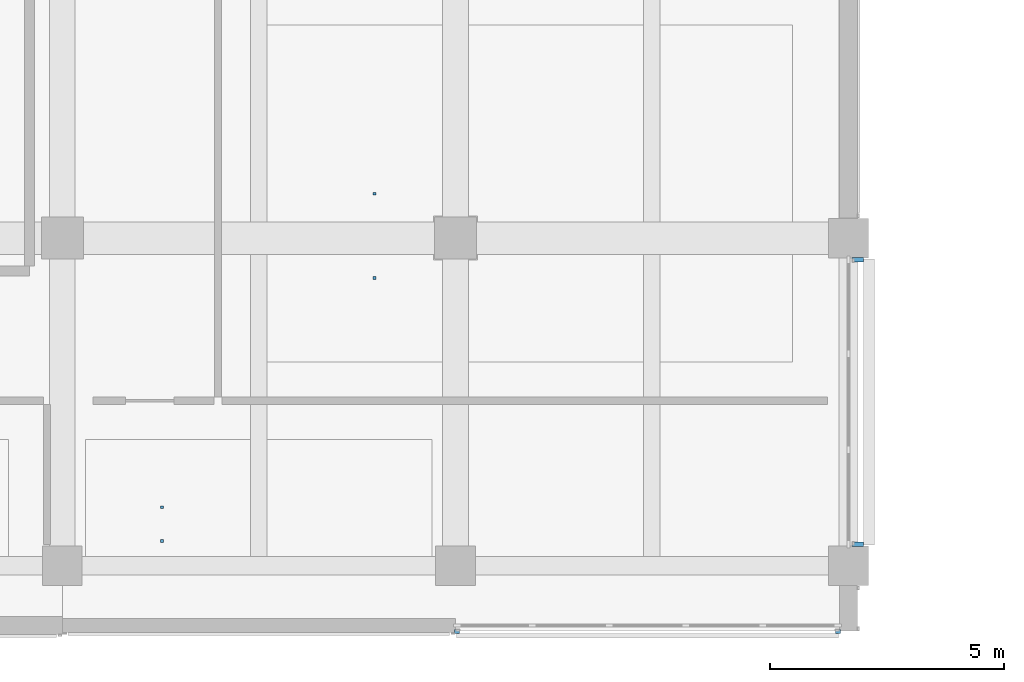
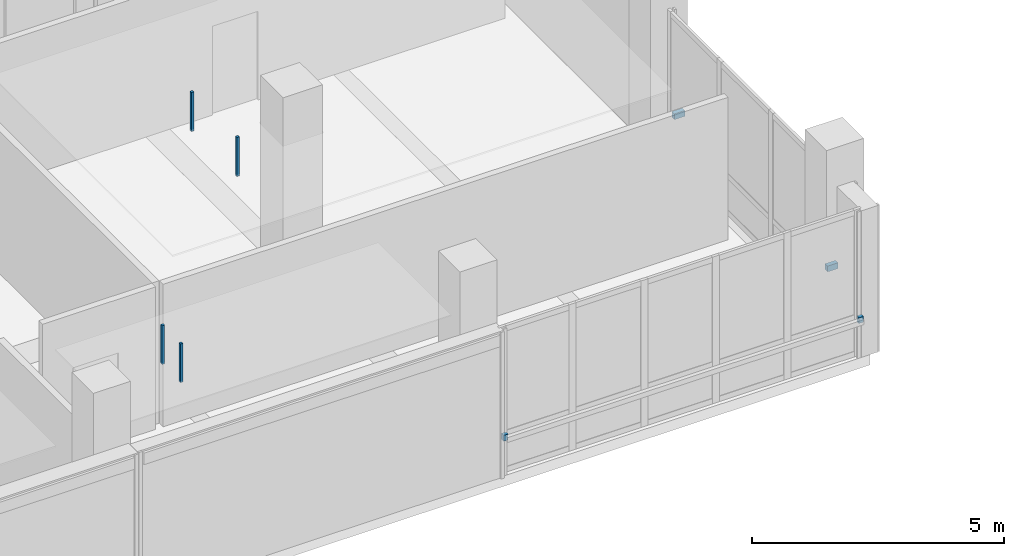
# One storey, part 22 of 39: 8 discrete accessories.
"""IFC4 building model written with IfcOpenShell, lengths in metres."""

from ifc_helpers import new_model, si_unit, direction, frame, origin, origin_2d, place, context, subcontext, project, spatial, rectangle, extrude, material, type_object, element, save


model = new_model("IFC4")

# Units and contexts
model_context = context("Model", 3, precision=1e-05, world=origin(), true_north=direction((0.0, 1.0)))
body_context = subcontext(model_context, "Body", "Model", "MODEL_VIEW")
ifc_project = project(units=[si_unit("LENGTHUNIT", "METRE"), si_unit("AREAUNIT", "SQUARE_METRE"), si_unit("VOLUMEUNIT", "CUBIC_METRE"), si_unit("PLANEANGLEUNIT", "RADIAN"), si_unit("MASSUNIT", "GRAM", prefix="KILO")], contexts=[model_context])

# Site, building, storey
site_placement = place(None, origin())
site = spatial("IfcSite", under=ifc_project, at=site_placement, CompositionType="ELEMENT")
building_placement = place(site_placement, origin())
building = spatial("IfcBuilding", under=site, at=building_placement, Name="Telukmera Botanical Conservatory", CompositionType="ELEMENT")
storey_placement = place(building_placement, frame((0.0, 0.0, 19.5)))
storey = spatial("IfcBuildingStorey", under=building, at=storey_placement, Name="L04", CompositionType="ELEMENT", Elevation=19.5)

# Discrete accessories
ifc_material = material(Name="Steel S355", Category="steel")
discrete_accessory_type_1 = type_object("IfcDiscreteAccessoryType", Name="ACC-CEIL-HGR", PredefinedType="BRACKET", material=ifc_material)
for number, where, z_axis, x_axis, name in (
    (1, (99.069091796875, 16.75, 3.31005859375), (0.0, 0.0, 1.0), (1.0, 0.0, 0.0), "L04 Suspended Ceiling Hanger Rod 028-1"),
    (2, (99.069091796875, 18.550048828125, 3.31005859375), (0.0, 0.0, 1.0), (1.0, 0.0, 0.0), "L04 Suspended Ceiling Hanger Rod 028-2"),
):
    element("IfcDiscreteAccessory", number, at=place(storey_placement, frame(where, z_axis=z_axis, x_axis=x_axis)), inside=storey, type_object=discrete_accessory_type_1, Name=name, PredefinedType="BRACKET", context=body_context, shape_type="SweptSolid", body=[
        extrude(rectangle(XDim=0.06005859375, YDim=0.06005859375, at=origin_2d()), origin(), (0.0, 0.0, 1.0), 0.945068359375),
    ])
for number, where, z_axis, x_axis, name in (
    (3, (94.529052734375, 11.125, 3.320068359375), (0.0, 0.0, 1.0), (1.0, 0.0, 0.0), "L04 Suspended Ceiling Hanger Rod 033-1"),
    (4, (94.529052734375, 11.85009765625, 3.320068359375), (0.0, 0.0, 1.0), (1.0, 0.0, 0.0), "L04 Suspended Ceiling Hanger Rod 033-2"),
):
    element("IfcDiscreteAccessory", number, at=place(storey_placement, frame(where, z_axis=z_axis, x_axis=x_axis)), inside=storey, type_object=discrete_accessory_type_1, Name=name, PredefinedType="BRACKET", context=body_context, shape_type="SweptSolid", body=[
        extrude(rectangle(XDim=0.06005859375, YDim=0.06005859375, at=origin_2d()), origin(), (0.0, 0.0, 1.0), 0.93505859375),
    ])
discrete_accessory_type_2 = type_object("IfcDiscreteAccessoryType", Name="Structural Steel Facade Outrigger Fin Bracket", PredefinedType="BRACKET", material=ifc_material)
for number, where, z_axis, x_axis, name in (
    (5, (100.83447265625, 9.195068359375, 0.8798828125), (0.0, 0.0, 1.0), (1.0, 0.0, 0.0), "Facade Outrigger Bracket V4:L04:S7 A"),
    (6, (108.9755859375, 9.195068359375, 0.8798828125), (0.0, 0.0, 1.0), (1.0, 0.0, 0.0), "Facade Outrigger Bracket V4:L04:S7 B"),
):
    element("IfcDiscreteAccessory", number, at=place(storey_placement, frame(where, z_axis=z_axis, x_axis=x_axis)), inside=storey, type_object=discrete_accessory_type_2, Name=name, PredefinedType="BRACKET", context=body_context, shape_type="SweptSolid", body=[
        extrude(rectangle(XDim=0.10009765625, YDim=0.090087890625, at=origin_2d()), origin(), (0.0, 0.0, 1.0), 0.139892578125),
    ])
for number, where, z_axis, x_axis, name in (
    (7, (109.39990234375, 11.0595703125, 0.8798828125), (0.0, 0.0, 1.0), (0.0, 1.0, 0.0), "Facade Outrigger Bracket V4:L04:E1 A"),
    (8, (109.39990234375, 17.140380859375, 0.8798828125), (0.0, 0.0, 1.0), (0.0, 1.0, 0.0), "Facade Outrigger Bracket V4:L04:E1 B"),
):
    element("IfcDiscreteAccessory", number, at=place(storey_placement, frame(where, z_axis=z_axis, x_axis=x_axis)), inside=storey, type_object=discrete_accessory_type_2, Name=name, PredefinedType="BRACKET", context=body_context, shape_type="SweptSolid", body=[
        extrude(rectangle(XDim=0.10009765625, YDim=0.239990234375, at=origin_2d()), origin(), (0.0, 0.0, 1.0), 0.139892578125),
    ])

save(model, "model.ifc")
